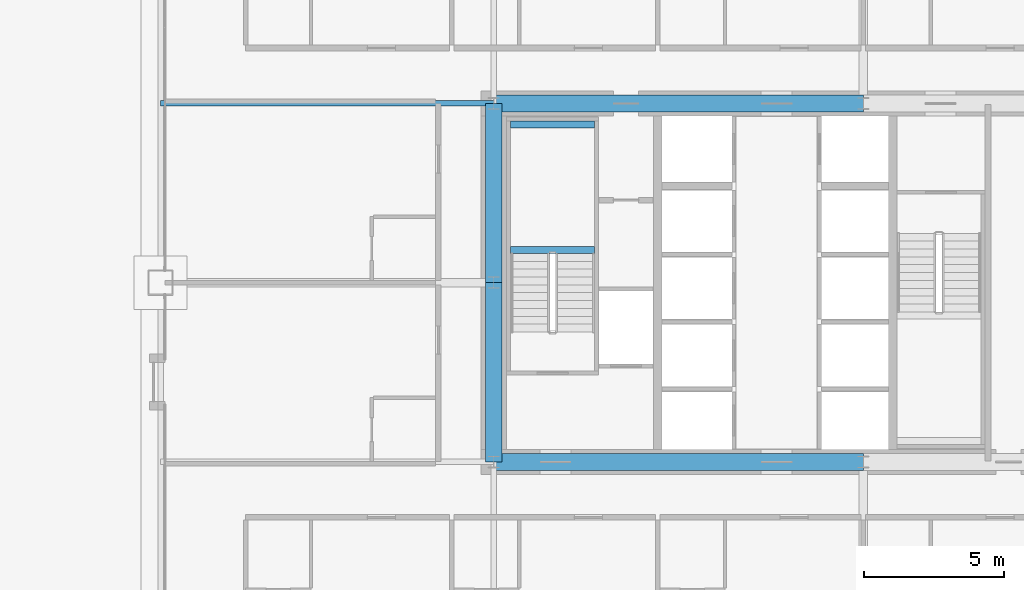
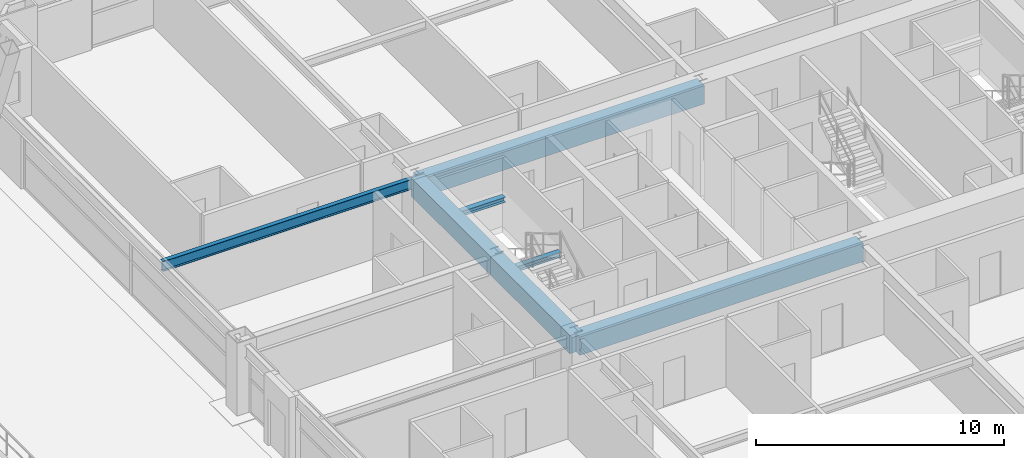
# One storey, part 12 of 45: 7 beams.
"""IFC4 building model written with IfcOpenShell, lengths in metres."""

from ifc_helpers import new_model, si_unit, direction, frame, origin, origin_2d, place, context, subcontext, project, spatial, rectangle, i_section, extrude, source, transform, mapped, material, material_profile, profile_set, type_object, element, save


model = new_model("IFC4")

# Units and contexts
model_context = context("Model", 3, precision=1e-05, world=origin(), true_north=direction((0.0, 1.0)))
body_context = subcontext(model_context, "Body", "Model", "MODEL_VIEW")
ifc_project = project(units=[si_unit("LENGTHUNIT", "METRE"), si_unit("AREAUNIT", "SQUARE_METRE"), si_unit("VOLUMEUNIT", "CUBIC_METRE"), si_unit("PLANEANGLEUNIT", "RADIAN"), si_unit("MASSUNIT", "GRAM", prefix="KILO"), si_unit("THERMODYNAMICTEMPERATUREUNIT", "KELVIN"), si_unit("POWERUNIT", "WATT")], contexts=[model_context])

# Site, building, storey
site_placement = place(None, origin())
site = spatial("IfcSite", under=ifc_project, at=site_placement, CompositionType="ELEMENT")
building_placement = place(site_placement, origin())
building = spatial("IfcBuilding", under=site, at=building_placement, Name="Yuzanri Waterfront Tower", CompositionType="ELEMENT")
storey_placement = place(building_placement, frame((0.0, 0.0, 30.60009765625)))
storey = spatial("IfcBuildingStorey", under=building, at=storey_placement, Name="L07", CompositionType="ELEMENT", Elevation=30.60009765625)

# Beams
ifc_material_1 = material(Name="Concrete C60", Category="concrete")
ifc_material_profile_1 = material_profile(ifc_material_1, rectangle(XDim=0.60009765625, YDim=0.89990234375, at=origin_2d()), Name="RC 600x900")
ifc_profile_set_1 = profile_set([ifc_material_profile_1], Name="Concrete C60")
beam_type_1 = type_object("IfcBeamType", Name="Core Coupling Lintel Concrete C60 600x900", PredefinedType="LINTEL", material=ifc_profile_set_1)
shared_shape_1 = source(origin(), body_context, "Body", "SweptSolid", [
    extrude(rectangle(XDim=0.60009765625, YDim=0.89990234375, at=origin_2d()), origin(), (0.0, 0.0, 1.0), 13.199951171875),
])
for number, where, z_axis, x_axis, name in (
    (1, (23.800048828125, 19.39990234375, 2.929931640625), (1.0, 0.0, 0.0), (0.0, 1.0, 0.0), "L07 Core Tie Beam CS1"),
    (2, (23.800048828125, 32.199951171875, 2.929931640625), (1.0, 0.0, 0.0), (0.0, 1.0, 0.0), "L07 Core Tie Beam CN1"),
):
    element("IfcBeam", number, at=place(storey_placement, frame(where, z_axis=z_axis, x_axis=x_axis)), inside=storey, type_object=beam_type_1, Name=name, PredefinedType="LINTEL", context=body_context, shape_type="MappedRepresentation", body=[
        mapped(shared_shape_1, transform((0.0, 0.0, 0.0), scale=1.0)),
    ])
shared_shape_2 = source(origin(), body_context, "Body", "SweptSolid", [
    extrude(rectangle(XDim=0.60009765625, YDim=0.89990234375, at=origin_2d()), origin(), (0.0, 0.0, 1.0), 6.400146484375),
])
beam_1_placement = place(storey_placement, frame((23.800048828125, 19.39990234375, 2.929931640625), z_axis=(0.0, 1.0, 0.0), x_axis=(-1.0, 0.0, 0.0)))
element("IfcBeam", 3, at=beam_1_placement, inside=storey, type_object=beam_type_1, Name="L07 Core Tie Beam CW1", PredefinedType="LINTEL", context=body_context, shape_type="MappedRepresentation", body=[
    mapped(shared_shape_2, transform((0.0, 0.0, 0.0), scale=1.0)),
])
shared_shape_3 = source(origin(), body_context, "Body", "SweptSolid", [
    extrude(rectangle(XDim=0.60009765625, YDim=0.89990234375, at=origin_2d()), origin(), (0.0, 0.0, 1.0), 6.39990234375),
])
beam_2_placement = place(storey_placement, frame((23.800048828125, 25.800048828125, 2.929931640625), z_axis=(0.0, 1.0, 0.0), x_axis=(-1.0, 0.0, 0.0)))
element("IfcBeam", 4, at=beam_2_placement, inside=storey, type_object=beam_type_1, Name="L07 Core Tie Beam CW2", PredefinedType="LINTEL", context=body_context, shape_type="MappedRepresentation", body=[
    mapped(shared_shape_3, transform((0.0, 0.0, 0.0), scale=1.0)),
])
ifc_material_2 = material(Name="Steel Q355B", Category="steel")
ifc_material_profile_2 = material_profile(ifc_material_2, i_section(OverallWidth=0.199951171875, OverallDepth=0.5, WebThickness=0.010009765625, FlangeThickness=0.01611328125, at=origin_2d()), Name="HN 500x200x10x16")
ifc_profile_set_2 = profile_set([ifc_material_profile_2], Name="Steel Q355B")
beam_type_2 = type_object("IfcBeamType", Name="Secondary Floor Beam Q355B HN 500x200", PredefinedType="BEAM", material=ifc_profile_set_2)
shared_shape_4 = source(origin(), body_context, "Body", "SweptSolid", [
    extrude(i_section(OverallWidth=0.199951171875, OverallDepth=0.5, WebThickness=0.010009765625, FlangeThickness=0.01611328125, at=origin_2d()), origin(), (0.0, 0.0, 1.0), 11.900146484375),
])
beam_3_placement = place(storey_placement, frame((23.800048828125, 32.199951171875, 3.1298828125), z_axis=(-1.0, 0.0, 0.0), x_axis=(0.0, -1.0, 0.0)))
element("IfcBeam", 5, at=beam_3_placement, inside=storey, type_object=beam_type_2, Name="L07 West-North Core Line Beam", PredefinedType="BEAM", context=body_context, shape_type="MappedRepresentation", body=[
    mapped(shared_shape_4, transform((0.0, 0.0, 0.0), scale=1.0)),
])
ifc_material_3 = material(Name="Steel Q355B", Category="steel")
ifc_material_profile_3 = material_profile(ifc_material_3, i_section(OverallWidth=0.25, OverallDepth=0.25, WebThickness=0.009033203125, FlangeThickness=0.013916015625, at=origin_2d()), Name="HW 250x250x9x14")
ifc_profile_set_3 = profile_set([ifc_material_profile_3], Name="Steel Q355B")
beam_type_3 = type_object("IfcBeamType", Name="Stair Landing Support Beam Q355B HW 250x250", PredefinedType="BEAM", material=ifc_profile_set_3)
shared_shape_5 = source(origin(), body_context, "Body", "SweptSolid", [
    extrude(i_section(OverallWidth=0.25, OverallDepth=0.25, WebThickness=0.009033203125, FlangeThickness=0.013916015625, at=origin_2d()), origin(), (0.0, 0.0, 1.0), 3.0),
])
for number, where, z_axis, x_axis, name in (
    (6, (24.39990234375, 26.969970703125, 1.474853515625), (1.0, 0.0, 0.0), (0.0, 1.0, 0.0), "L07 Stair Landing Support Beam ST-01-L07-L1-1"),
    (7, (24.39990234375, 31.449951171875, 1.474853515625), (1.0, 0.0, 0.0), (0.0, 1.0, 0.0), "L07 Stair Landing Support Beam ST-01-L07-L1-2"),
):
    element("IfcBeam", number, at=place(storey_placement, frame(where, z_axis=z_axis, x_axis=x_axis)), inside=storey, type_object=beam_type_3, Name=name, PredefinedType="BEAM", context=body_context, shape_type="MappedRepresentation", body=[
        mapped(shared_shape_5, transform((0.0, 0.0, 0.0), scale=1.0)),
    ])

save(model, "model.ifc")
